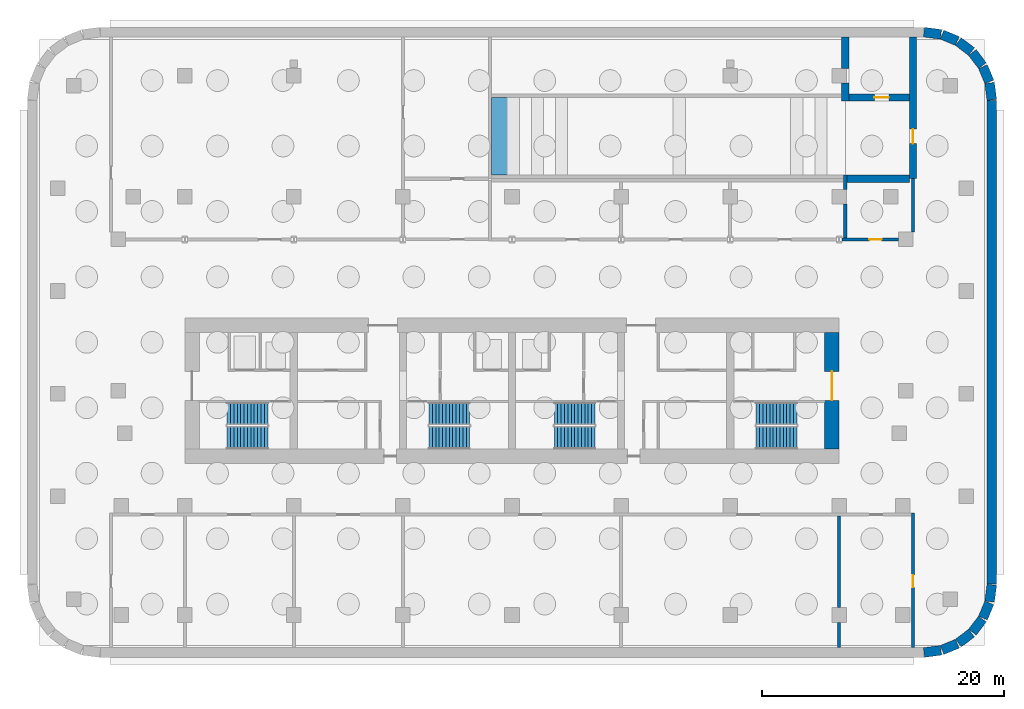
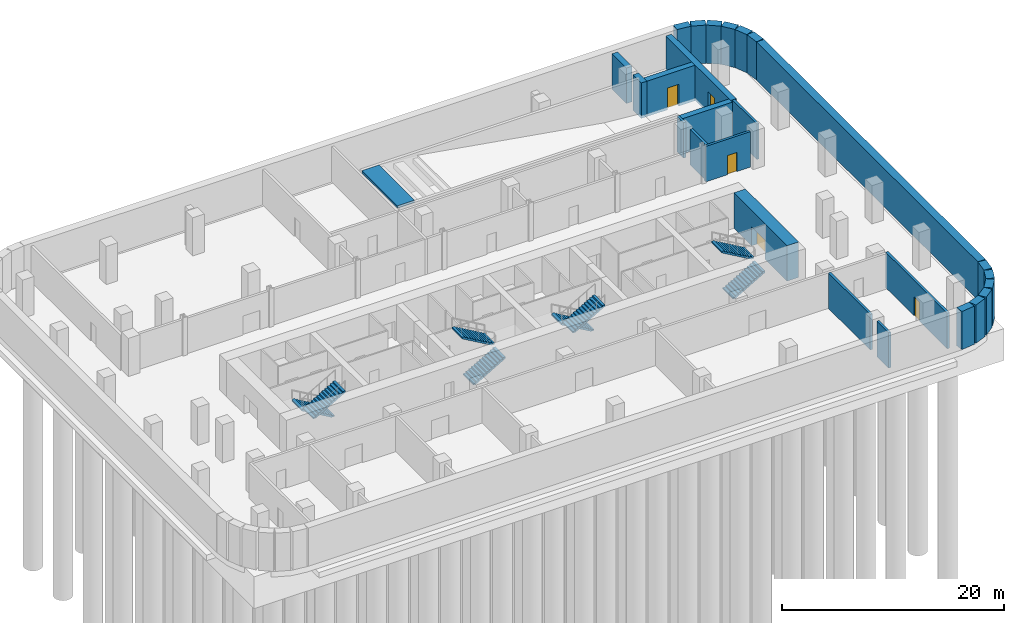
# One storey, part 6 of 8: 26 walls, 8 stair flights, 5 doors, 1 ramp flight, 5 openings, 5 elements without a shape of their own.
"""IFC4 building model written with IfcOpenShell, lengths in metres."""

from ifc_helpers import new_model, si_unit, direction, frame, frame_2d, origin, place, context, subcontext, project, spatial, polyline, rectangle, outline, extrude, material, layer, layer_set, type_object, element, fill, aggregate, save


model = new_model("IFC4")

# Units and contexts
model_context = context("Model", 3, precision=1e-05, world=origin(), true_north=direction((0.0, 1.0)))
body_context = subcontext(model_context, "Body", "Model", "MODEL_VIEW")
ifc_project = project(units=[si_unit("LENGTHUNIT", "METRE"), si_unit("AREAUNIT", "SQUARE_METRE"), si_unit("VOLUMEUNIT", "CUBIC_METRE"), si_unit("PLANEANGLEUNIT", "RADIAN"), si_unit("MASSUNIT", "GRAM", prefix="KILO")], contexts=[model_context])

# Site, building, storey
site_placement = place(None, origin())
site = spatial("IfcSite", under=ifc_project, at=site_placement, CompositionType="ELEMENT")
building_placement = place(site_placement, origin())
building = spatial("IfcBuilding", under=site, at=building_placement, Name="Zellij Exchange Tower", CompositionType="ELEMENT")
storey_placement = place(building_placement, frame((0.0, 0.0, -12.60009765625)))
storey = spatial("IfcBuildingStorey", under=building, at=storey_placement, Name="B3", CompositionType="ELEMENT", Elevation=-12.60009765625)

# Wall
ifc_material_1 = material(Name="Concrete C50/60", Category="concrete")
ifc_layer_1 = layer(ifc_material_1, 0.60009765625)
ifc_layer_set_1 = layer_set([ifc_layer_1], Name="Concrete C50/60")
wall_type_1 = type_object("IfcWallType", Name="BSM-Vault wall 600", PredefinedType="SOLIDWALL", material=ifc_layer_set_1)
wall_1_placement = place(storey_placement, frame((27.625, 9.5, 0.0), z_axis=(0.0, 0.0, 1.0), x_axis=(1.0, 0.0, 0.0)))
element("IfcWall", 1, at=wall_1_placement, inside=storey, type_object=wall_type_1, Name="Partition 13", PredefinedType="SOLIDWALL", context=body_context, shape_type="SweptSolid", body=[
    extrude(rectangle(XDim=5.175048828125, YDim=0.60009765625, at=frame_2d((2.58740234375, 0.0))), origin(), (0.0, 0.0, 1.0), 3.900146484375),
])

# Wall, opening, door
wall_2_placement = place(storey_placement, frame((27.800048828125, 16.199951171875, 0.0), z_axis=(0.0, 0.0, 1.0), x_axis=(1.0, 0.0, 0.0)))
wall_2 = element("IfcWall", 2, at=wall_2_placement, inside=storey, type_object=wall_type_1, Name="Partition 14", PredefinedType="SOLIDWALL", context=body_context, shape_type="SweptSolid", body=[
    extrude(rectangle(XDim=5.0, YDim=0.60009765625, at=frame_2d((2.5, 0.0))), origin(), (0.0, 0.0, 1.0), 3.900146484375),
])
opening_1_placement = place(wall_2_placement, frame((2.10009765625, 0.0, 0.0)))
opening_1 = element("IfcOpeningElement", 3, at=opening_1_placement, cuts=wall_2, Name="Opening BS3.14", PredefinedType="OPENING", context=body_context, shape_type="SweptSolid", body=[
    extrude(rectangle(XDim=1.199951171875, YDim=2.39990234375, at=frame_2d((0.60009765625, 1.199951171875))), frame((0.0, 0.31201171875, 0.0), z_axis=(0.0, -1.0, 0.0), x_axis=(1.0, 0.0, 0.0)), (0.0, 0.0, 1.0), 0.6240234375),
])
ifc_material_2 = material(Name="Painted steel door leaf", Category="steel")
door_type_1 = type_object("IfcDoorType", Name="BSM-Vault door 1200x2400", OperationType="SINGLE_SWING_LEFT", PredefinedType="DOOR", material=ifc_material_2)
door_1_placement = place(opening_1_placement, origin())
door_1 = element("IfcDoor", 4, at=door_1_placement, inside=storey, type_object=door_type_1, Name="bsm.B3.door.BS3.14", OperationType="SINGLE_SWING_RIGHT", OverallHeight=2.39990234375, OverallWidth=1.199951171875, PredefinedType="DOOR", context=body_context, shape_type="SweptSolid", body=[
    extrude(rectangle(XDim=1.199951171875, YDim=2.39990234375, at=frame_2d((0.60009765625, 1.199951171875))), frame((0.0, 0.02490234375, 0.0), z_axis=(0.0, -1.0, 0.0), x_axis=(1.0, 0.0, 0.0)), (0.0, 0.0, 1.0), 0.050048828125),
])
fill(opening_1, door_1)

# Walls
wall_3_placement = place(storey_placement, frame((27.5, 15.89990234375, 0.0), z_axis=(0.0, 0.0, 1.0), x_axis=(0.0, 1.0, 0.0)))
element("IfcWall", 5, at=wall_3_placement, inside=storey, type_object=wall_type_1, Name="Partition 37", PredefinedType="SOLIDWALL", context=body_context, shape_type="SweptSolid", body=[
    extrude(rectangle(XDim=1.5, YDim=0.60009765625, at=frame_2d((0.75, 0.0))), origin(), (0.0, 0.0, 1.0), 3.900146484375),
])
wall_4_placement = place(storey_placement, frame((27.5, 18.60009765625, 0.0), z_axis=(0.0, 0.0, 1.0), x_axis=(0.0, 1.0, 0.0)))
element("IfcWall", 6, at=wall_4_placement, inside=storey, type_object=wall_type_1, Name="Partition 38", PredefinedType="SOLIDWALL", context=body_context, shape_type="SweptSolid", body=[
    extrude(rectangle(XDim=2.599853515625, YDim=0.60009765625, at=frame_2d((1.2998046875, 0.0))), origin(), (0.0, 0.0, 1.0), 3.900146484375),
])

# Wall, opening, door
wall_5_placement = place(storey_placement, frame((33.10009765625, 9.5, 0.0), z_axis=(0.0, 0.0, 1.0), x_axis=(0.0, 1.0, 0.0)))
wall_5 = element("IfcWall", 7, at=wall_5_placement, inside=storey, type_object=wall_type_1, Name="Partition 41", PredefinedType="SOLIDWALL", context=body_context, shape_type="SweptSolid", body=[
    extrude(rectangle(XDim=11.699951171875, YDim=0.60009765625, at=frame_2d((5.85009765625, 0.0))), origin(), (0.0, 0.0, 1.0), 3.900146484375),
])
opening_2_placement = place(wall_5_placement, frame((2.89990234375, 0.0, 0.0)))
opening_2 = element("IfcOpeningElement", 8, at=opening_2_placement, cuts=wall_5, Name="Opening BS3.19", PredefinedType="OPENING", context=body_context, shape_type="SweptSolid", body=[
    extrude(rectangle(XDim=1.199951171875, YDim=2.39990234375, at=frame_2d((0.60009765625, 1.199951171875))), frame((0.0, 0.31201171875, 0.0), z_axis=(0.0, -1.0, 0.0), x_axis=(1.0, 0.0, 0.0)), (0.0, 0.0, 1.0), 0.6240234375),
])
door_2_placement = place(opening_2_placement, origin())
door_2 = element("IfcDoor", 9, at=door_2_placement, inside=storey, type_object=door_type_1, Name="bsm.B3.door.BS3.19", OperationType="SINGLE_SWING_RIGHT", OverallHeight=2.39990234375, OverallWidth=1.199951171875, PredefinedType="DOOR", context=body_context, shape_type="SweptSolid", body=[
    extrude(rectangle(XDim=1.199951171875, YDim=2.39990234375, at=frame_2d((0.60009765625, 1.199951171875))), frame((0.0, 0.02490234375, 0.0), z_axis=(0.0, -1.0, 0.0), x_axis=(1.0, 0.0, 0.0)), (0.0, 0.0, 1.0), 0.050048828125),
])
fill(opening_2, door_2)

ifc_material_3 = material(Name="Concrete C32/40", Category="concrete")
ifc_layer_2 = layer(ifc_material_3, 0.25)
ifc_layer_set_2 = layer_set([ifc_layer_2], Name="Concrete C32/40")
wall_type_2 = type_object("IfcWallType", Name="BSM-Wall 250", PredefinedType="SOLIDWALL", material=ifc_layer_set_2)
wall_6_placement = place(storey_placement, frame((27.227294921875, 4.5, 0.0), z_axis=(0.0, 0.0, 1.0), x_axis=(1.0, 0.0, 0.0)))
wall_6 = element("IfcWall", 10, at=wall_6_placement, inside=storey, type_object=wall_type_2, Name="Partition 10", PredefinedType="SOLIDWALL", context=body_context, shape_type="SweptSolid", body=[
    extrude(rectangle(XDim=4.672607421875, YDim=0.25, at=frame_2d((2.33642578125, 0.0))), origin(), (0.0, 0.0, 1.0), 3.900146484375),
])
opening_3_placement = place(wall_6_placement, frame((2.272705078125, 0.0, 0.0)))
opening_3 = element("IfcOpeningElement", 11, at=opening_3_placement, cuts=wall_6, Name="Opening BS3.12", PredefinedType="OPENING", context=body_context, shape_type="SweptSolid", body=[
    extrude(rectangle(XDim=1.0, YDim=2.10009765625, at=frame_2d((0.5, 1.050048828125))), frame((0.0, 0.136962890625, 0.0), z_axis=(0.0, -1.0, 0.0), x_axis=(1.0, 0.0, 0.0)), (0.0, 0.0, 1.0), 0.27392578125),
])
door_type_2 = type_object("IfcDoorType", Name="BSM-Door 1000x2100 FD90", OperationType="SINGLE_SWING_LEFT", PredefinedType="DOOR", material=ifc_material_2)
door_3_placement = place(opening_3_placement, origin())
door_3 = element("IfcDoor", 12, at=door_3_placement, inside=storey, type_object=door_type_2, Name="bsm.B3.door.BS3.12", OperationType="SINGLE_SWING_LEFT", OverallHeight=2.10009765625, OverallWidth=1.0, PredefinedType="DOOR", context=body_context, shape_type="SweptSolid", body=[
    extrude(rectangle(XDim=1.0, YDim=2.10009765625, at=frame_2d((0.5, 1.050048828125))), frame((0.0, 0.02490234375, 0.0), z_axis=(0.0, -1.0, 0.0), x_axis=(1.0, 0.0, 0.0)), (0.0, 0.0, 1.0), 0.050048828125),
])
fill(opening_3, door_3)

# Walls
wall_7_placement = place(storey_placement, frame((27.0, -29.199951171875, 0.0), z_axis=(0.0, 0.0, 1.0), x_axis=(0.0, 1.0, 0.0)))
element("IfcWall", 13, at=wall_7_placement, inside=storey, type_object=wall_type_2, Name="Partition 33", PredefinedType="SOLIDWALL", context=body_context, shape_type="SweptSolid", body=[
    extrude(rectangle(XDim=2.099853515625, YDim=0.25, at=frame_2d((1.0498046875, 0.0))), origin(), (0.0, 0.0, 1.0), 3.900146484375),
])
wall_8_placement = place(storey_placement, frame((27.0, -25.89990234375, 0.0), z_axis=(0.0, 0.0, 1.0), x_axis=(0.0, 1.0, 0.0)))
element("IfcWall", 14, at=wall_8_placement, inside=storey, type_object=wall_type_2, Name="Partition 34", PredefinedType="SOLIDWALL", context=body_context, shape_type="SweptSolid", body=[
    extrude(rectangle(XDim=7.5498046875, YDim=0.25, at=frame_2d((3.77490234375, 0.0))), origin(), (0.0, 0.0, 1.0), 3.900146484375),
])
wall_9_placement = place(storey_placement, frame((27.5, 4.625, 0.0), z_axis=(0.0, 0.0, 1.0), x_axis=(0.0, 1.0, 0.0)))
element("IfcWall", 15, at=wall_9_placement, inside=storey, type_object=wall_type_2, Name="Partition 35", PredefinedType="SOLIDWALL", context=body_context, shape_type="SweptSolid", body=[
    extrude(rectangle(XDim=2.77490234375, YDim=0.25, at=frame_2d((1.387451171875, 0.0))), origin(), (0.0, 0.0, 1.0), 3.900146484375),
])
wall_10_placement = place(storey_placement, frame((27.5, 8.60009765625, 0.0), z_axis=(0.0, 0.0, 1.0), x_axis=(0.0, 1.0, 0.0)))
element("IfcWall", 16, at=wall_10_placement, inside=storey, type_object=wall_type_2, Name="Partition 36", PredefinedType="SOLIDWALL", context=body_context, shape_type="SweptSolid", body=[
    extrude(rectangle(XDim=1.199951171875, YDim=0.25, at=frame_2d((0.60009765625, 0.0))), origin(), (0.0, 0.0, 1.0), 3.900146484375),
])

# Wall, opening, door
wall_11_placement = place(storey_placement, frame((33.10009765625, -29.199951171875, 0.0), z_axis=(0.0, 0.0, 1.0), x_axis=(0.0, 1.0, 0.0)))
wall_11 = element("IfcWall", 17, at=wall_11_placement, inside=storey, type_object=wall_type_2, Name="Partition 39", PredefinedType="SOLIDWALL", context=body_context, shape_type="SweptSolid", body=[
    extrude(rectangle(XDim=11.099853515625, YDim=0.25, at=frame_2d((5.5498046875, 0.0))), origin(), (0.0, 0.0, 1.0), 3.900146484375),
])
opening_4_placement = place(wall_11_placement, frame((4.987548828125, 0.0, 0.0)))
opening_4 = element("IfcOpeningElement", 18, at=opening_4_placement, cuts=wall_11, Name="Opening BS3.18", PredefinedType="OPENING", context=body_context, shape_type="SweptSolid", body=[
    extrude(rectangle(XDim=1.0, YDim=2.10009765625, at=frame_2d((0.5, 1.050048828125))), frame((0.0, 0.136962890625, 0.0), z_axis=(0.0, -1.0, 0.0), x_axis=(1.0, 0.0, 0.0)), (0.0, 0.0, 1.0), 0.27392578125),
])
door_4_placement = place(opening_4_placement, origin())
door_4 = element("IfcDoor", 19, at=door_4_placement, inside=storey, type_object=door_type_2, Name="bsm.B3.door.BS3.18", OperationType="SINGLE_SWING_LEFT", OverallHeight=2.10009765625, OverallWidth=1.0, PredefinedType="DOOR", context=body_context, shape_type="SweptSolid", body=[
    extrude(rectangle(XDim=1.0, YDim=2.10009765625, at=frame_2d((0.5, 1.050048828125))), frame((0.0, 0.02490234375, 0.0), z_axis=(0.0, -1.0, 0.0), x_axis=(1.0, 0.0, 0.0)), (0.0, 0.0, 1.0), 0.050048828125),
])
fill(opening_4, door_4)

# Wall
wall_12_placement = place(storey_placement, frame((33.10009765625, 5.10009765625, 0.0), z_axis=(0.0, 0.0, 1.0), x_axis=(0.0, 1.0, 0.0)))
element("IfcWall", 20, at=wall_12_placement, inside=storey, type_object=wall_type_2, Name="Partition 40", PredefinedType="SOLIDWALL", context=body_context, shape_type="SweptSolid", body=[
    extrude(rectangle(XDim=4.39990234375, YDim=0.25, at=frame_2d((2.199951171875, 0.0))), origin(), (0.0, 0.0, 1.0), 3.900146484375),
])

# Wall, opening, door
ifc_material_4 = material(Name="Concrete C70/85", Category="concrete")
ifc_layer_3 = layer(ifc_material_4, 1.199951171875)
ifc_layer_set_3 = layer_set([ifc_layer_3], Name="Concrete C70/85")
wall_type_3 = type_object("IfcWallType", Name="CORE-SW 1200 C70/85", PredefinedType="SHEAR", material=ifc_layer_set_3)
wall_13_placement = place(storey_placement, frame((26.39990234375, -12.800048828125, 0.0), z_axis=(0.0, 0.0, 1.0), x_axis=(0.0, 1.0, 0.0)))
wall_13 = element("IfcWall", 21, at=wall_13_placement, inside=storey, type_object=wall_type_3, Name="Core shear wall end e B3", PredefinedType="SHEAR", context=body_context, shape_type="SweptSolid", body=[
    extrude(rectangle(XDim=9.60009765625, YDim=1.199951171875, at=frame_2d((4.800048828125, 0.0))), origin(), (0.0, 0.0, 1.0), 3.900146484375),
])
opening_5_placement = place(wall_13_placement, frame((4.011962890625, 0.0, 0.0)))
opening_5 = element("IfcOpeningElement", 22, at=opening_5_placement, cuts=wall_13, Name="Opening CA-01.24", PredefinedType="OPENING", context=body_context, shape_type="SweptSolid", body=[
    extrude(rectangle(XDim=2.39990234375, YDim=2.10009765625, at=frame_2d((1.199951171875, 1.050048828125))), frame((0.0, 0.61181640625, 0.0), z_axis=(0.0, -1.0, 0.0), x_axis=(1.0, 0.0, 0.0)), (0.0, 0.0, 1.0), 1.223876953125),
])
ifc_material_5 = material(Name="Hollow metal fire door")
door_type_3 = type_object("IfcDoorType", Name="CORE-D CE Core entrance door 2400x2100 20 MIN", OperationType="NOTDEFINED", PredefinedType="DOOR", material=ifc_material_5)
door_5_placement = place(opening_5_placement, origin())
door_5 = element("IfcDoor", 23, at=door_5_placement, inside=storey, type_object=door_type_3, Name="Core entrance door CA-01.24", OperationType="DOUBLE_DOOR_SINGLE_SWING", OverallHeight=2.10009765625, OverallWidth=2.39990234375, PredefinedType="DOOR", context=body_context, shape_type="SweptSolid", body=[
    extrude(rectangle(XDim=2.39990234375, YDim=2.10009765625, at=frame_2d((1.199951171875, 1.050048828125))), frame((0.0, 0.02490234375, 0.0), z_axis=(0.0, -1.0, 0.0), x_axis=(1.0, 0.0, 0.0)), (0.0, 0.0, 1.0), 0.050048828125),
])
fill(opening_5, door_5)

# Walls
ifc_material_6 = material(Name="Concrete C40/50", Category="concrete")
ifc_layer_4 = layer(ifc_material_6, 0.800048828125)
ifc_layer_set_4 = layer_set([ifc_layer_4], Name="Concrete C40/50")
wall_type_4 = type_object("IfcWallType", Name="STR-RETAINING WALL 800 C40/50", PredefinedType="SOLIDWALL", material=ifc_layer_set_4)
wall_14_placement = place(storey_placement, frame((33.999755859375, 21.5966796875, 0.0), z_axis=(0.0, 0.0, 1.0), x_axis=(0.99144603414, -0.130517283865, 0.0)))
element("IfcWall", 24, at=wall_14_placement, inside=storey, type_object=wall_type_4, Name="Retaining wall B3", PredefinedType="SOLIDWALL", context=body_context, shape_type="SweptSolid", body=[
    extrude(rectangle(XDim=1.408447265625, YDim=0.800048828125, at=frame_2d((0.7041015625, 0.0))), origin(), (0.0, 0.0, 1.0), 4.2001953125),
])
for number, where, z_axis, x_axis, name in (
    (25, (35.497314453125, 21.3857421875, 0.0), (0.0, 0.0, 1.0), (0.923847774587, -0.38276009378, 0.0), "Retaining wall B3"),
    (26, (36.840087890625, 20.814697265625, 0.0), (0.0, 0.0, 1.0), (0.793359897258, -0.608752883708, 0.0), "Retaining wall B3"),
    (27, (37.989501953125, 19.91552734375, 0.0), (0.0, 0.0, 1.0), (0.608752883708, -0.793359897258, 0.0), "Retaining wall B3"),
    (28, (38.866943359375, 18.74951171875, 0.0), (0.0, 0.0, 1.0), (0.38276009378, -0.923847774587, 0.0), "Retaining wall B3"),
):
    element("IfcWall", number, at=place(storey_placement, frame(where, z_axis=z_axis, x_axis=x_axis)), inside=storey, type_object=wall_type_4, Name=name, PredefinedType="SOLIDWALL", context=body_context, shape_type="SweptSolid", body=[
        extrude(rectangle(XDim=1.35546875, YDim=0.800048828125, at=frame_2d((0.677734375, 0.0))), origin(), (0.0, 0.0, 1.0), 4.2001953125),
    ])
wall_15_placement = place(storey_placement, frame((39.412841796875, 17.396240234375, 0.0), z_axis=(0.0, 0.0, 1.0), x_axis=(0.130517283865, -0.99144603414, 0.0)))
element("IfcWall", 29, at=wall_15_placement, inside=storey, type_object=wall_type_4, Name="Retaining wall B3", PredefinedType="SOLIDWALL", context=body_context, shape_type="SweptSolid", body=[
    extrude(rectangle(XDim=1.408447265625, YDim=0.800048828125, at=frame_2d((0.7041015625, 0.0))), origin(), (0.0, 0.0, 1.0), 4.2001953125),
])
wall_16_placement = place(storey_placement, frame((39.60009765625, 15.947509765625, 0.0), z_axis=(0.0, 0.0, 1.0), x_axis=(0.0, -1.0, 0.0)))
element("IfcWall", 30, at=wall_16_placement, inside=storey, type_object=wall_type_4, Name="Retaining wall B3", PredefinedType="SOLIDWALL", context=body_context, shape_type="SweptSolid", body=[
    extrude(rectangle(XDim=39.89501953125, YDim=0.800048828125, at=frame_2d((19.947509765625, 0.0))), origin(), (0.0, 0.0, 1.0), 4.2001953125),
])
wall_17_placement = place(storey_placement, frame((39.5966796875, -23.999755859375, 0.0), z_axis=(0.0, 0.0, 1.0), x_axis=(-0.130517283865, -0.99144603414, 0.0)))
element("IfcWall", 31, at=wall_17_placement, inside=storey, type_object=wall_type_4, Name="Retaining wall B3", PredefinedType="SOLIDWALL", context=body_context, shape_type="SweptSolid", body=[
    extrude(rectangle(XDim=1.408447265625, YDim=0.800048828125, at=frame_2d((0.7041015625, 0.0))), origin(), (0.0, 0.0, 1.0), 4.2001953125),
])
for number, where, z_axis, x_axis, name in (
    (32, (39.3857421875, -25.497314453125, 0.0), (0.0, 0.0, 1.0), (-0.38276009378, -0.923847774587, 0.0), "Retaining wall B3"),
    (33, (38.814697265625, -26.840087890625, 0.0), (0.0, 0.0, 1.0), (-0.608752883708, -0.793359897258, 0.0), "Retaining wall B3"),
    (34, (37.91552734375, -27.989501953125, 0.0), (0.0, 0.0, 1.0), (-0.793359897258, -0.608752883708, 0.0), "Retaining wall B3"),
    (35, (36.74951171875, -28.866943359375, 0.0), (0.0, 0.0, 1.0), (-0.923847774587, -0.38276009378, 0.0), "Retaining wall B3"),
):
    element("IfcWall", number, at=place(storey_placement, frame(where, z_axis=z_axis, x_axis=x_axis)), inside=storey, type_object=wall_type_4, Name=name, PredefinedType="SOLIDWALL", context=body_context, shape_type="SweptSolid", body=[
        extrude(rectangle(XDim=1.35546875, YDim=0.800048828125, at=frame_2d((0.677734375, 0.0))), origin(), (0.0, 0.0, 1.0), 4.2001953125),
    ])
wall_18_placement = place(storey_placement, frame((35.396240234375, -29.412841796875, 0.0), z_axis=(0.0, 0.0, 1.0), x_axis=(-0.99144603414, -0.130517283865, 0.0)))
element("IfcWall", 36, at=wall_18_placement, inside=storey, type_object=wall_type_4, Name="Retaining wall B3", PredefinedType="SOLIDWALL", context=body_context, shape_type="SweptSolid", body=[
    extrude(rectangle(XDim=1.408447265625, YDim=0.800048828125, at=frame_2d((0.7041015625, 0.0))), origin(), (0.0, 0.0, 1.0), 4.2001953125),
])

# Stair, stair flights
stair_type = type_object("IfcStairType", Name="CORE-ST exit stair 1850 wide", PredefinedType="HALF_TURN_STAIR", material=ifc_material_6)
stair_1_placement = place(storey_placement, origin())
stair_1 = element("IfcStair", 37, at=stair_1_placement, inside=storey, type_object=stair_type, Name="B3 exit stair ST1", PredefinedType="HALF_TURN_STAIR")
stair_flight_type = type_object("IfcStairFlightType", Name="CORE-SF flight 1850 riser 161.5 going 280", PredefinedType="STRAIGHT", material=ifc_material_6)
stair_flight_1_placement = place(storey_placement, frame((-20.14990234375, -9.875, 0.0), z_axis=(0.0, 0.0, 1.0), x_axis=(-1.0, 0.0, 0.0)))
stair_flight_1 = element("IfcStairFlight", 38, at=stair_flight_1_placement, type_object=stair_flight_type, Name="ST1 flight 1", NumberOfRisers=13, NumberOfTreads=12, PredefinedType="STRAIGHT", RiserHeight=0.161538462, TreadLength=0.28, context=body_context, shape_type="SweptSolid", body=[
    extrude(outline(polyline([(0.0, 0.0), (0.0, 0.16162109375), (0.280029296875, 0.16162109375), (0.280029296875, 0.322998046875), (0.56005859375, 0.322998046875), (0.56005859375, 0.484619140625), (0.840087890625, 0.484619140625), (0.840087890625, 0.646240234375), (1.1201171875, 0.646240234375), (1.1201171875, 0.8076171875), (1.39990234375, 0.8076171875), (1.39990234375, 0.96923828125), (1.679931640625, 0.96923828125), (1.679931640625, 1.130859375), (1.9599609375, 1.130859375), (1.9599609375, 1.292236328125), (2.239990234375, 1.292236328125), (2.239990234375, 1.453857421875), (2.52001953125, 1.453857421875), (2.52001953125, 1.615478515625), (2.800048828125, 1.615478515625), (2.800048828125, 1.77685546875), (3.080078125, 1.77685546875), (3.080078125, 1.9384765625), (3.360107421875, 1.9384765625), (3.360107421875, 2.10009765625), (3.360107421875, 1.765380859375), (0.300048828125, 0.0), (0.0, 0.0)])), frame((0.0, 0.925048828125, 0.0), z_axis=(0.0, -1.0, 0.0), x_axis=(1.0, 0.0, 0.0)), (0.0, 0.0, 1.0), 1.85009765625),
])
stair_flight_2_placement = place(storey_placement, frame((-23.510009765625, -11.875, 2.10009765625), z_axis=(0.0, 0.0, 1.0), x_axis=(1.0, 0.0, 0.0)))
stair_flight_2 = element("IfcStairFlight", 39, at=stair_flight_2_placement, type_object=stair_flight_type, Name="ST1 flight 2", NumberOfRisers=13, NumberOfTreads=12, PredefinedType="STRAIGHT", RiserHeight=0.161538462, TreadLength=0.28, context=body_context, shape_type="SweptSolid", body=[
    extrude(outline(polyline([(0.0, 0.0), (0.0, 0.16162109375), (0.280029296875, 0.16162109375), (0.280029296875, 0.322998046875), (0.56005859375, 0.322998046875), (0.56005859375, 0.484619140625), (0.840087890625, 0.484619140625), (0.840087890625, 0.646240234375), (1.1201171875, 0.646240234375), (1.1201171875, 0.8076171875), (1.39990234375, 0.8076171875), (1.39990234375, 0.96923828125), (1.679931640625, 0.96923828125), (1.679931640625, 1.130859375), (1.9599609375, 1.130859375), (1.9599609375, 1.292236328125), (2.239990234375, 1.292236328125), (2.239990234375, 1.453857421875), (2.52001953125, 1.453857421875), (2.52001953125, 1.615478515625), (2.800048828125, 1.615478515625), (2.800048828125, 1.77685546875), (3.080078125, 1.77685546875), (3.080078125, 1.9384765625), (3.360107421875, 1.9384765625), (3.360107421875, 2.10009765625), (3.360107421875, 1.765380859375), (0.300048828125, 0.0), (0.0, 0.0)])), frame((0.0, 0.925048828125, 0.0), z_axis=(0.0, -1.0, 0.0), x_axis=(1.0, 0.0, 0.0)), (0.0, 0.0, 1.0), 1.85009765625),
])
aggregate(stair_1, [stair_flight_1, stair_flight_2])

stair_2_placement = place(storey_placement, origin())
stair_2 = element("IfcStair", 40, at=stair_2_placement, inside=storey, type_object=stair_type, Name="B3 exit stair ST2", PredefinedType="HALF_TURN_STAIR")
stair_flight_3_placement = place(storey_placement, frame((-6.85009765625, -11.875, 0.0), z_axis=(0.0, 0.0, 1.0), x_axis=(1.0, 0.0, 0.0)))
stair_flight_3 = element("IfcStairFlight", 41, at=stair_flight_3_placement, type_object=stair_flight_type, Name="ST2 flight 1", NumberOfRisers=13, NumberOfTreads=12, PredefinedType="STRAIGHT", RiserHeight=0.161538462, TreadLength=0.28, context=body_context, shape_type="SweptSolid", body=[
    extrude(outline(polyline([(0.0, 0.0), (0.0, 0.16162109375), (0.280029296875, 0.16162109375), (0.280029296875, 0.322998046875), (0.56005859375, 0.322998046875), (0.56005859375, 0.484619140625), (0.840087890625, 0.484619140625), (0.840087890625, 0.646240234375), (1.1201171875, 0.646240234375), (1.1201171875, 0.8076171875), (1.39990234375, 0.8076171875), (1.39990234375, 0.96923828125), (1.679931640625, 0.96923828125), (1.679931640625, 1.130859375), (1.9599609375, 1.130859375), (1.9599609375, 1.292236328125), (2.239990234375, 1.292236328125), (2.239990234375, 1.453857421875), (2.52001953125, 1.453857421875), (2.52001953125, 1.615478515625), (2.800048828125, 1.615478515625), (2.800048828125, 1.77685546875), (3.080078125, 1.77685546875), (3.080078125, 1.9384765625), (3.360107421875, 1.9384765625), (3.360107421875, 2.10009765625), (3.360107421875, 1.765380859375), (0.300048828125, 0.0), (0.0, 0.0)])), frame((0.0, 0.925048828125, 0.0), z_axis=(0.0, -1.0, 0.0), x_axis=(1.0, 0.0, 0.0)), (0.0, 0.0, 1.0), 1.85009765625),
])
stair_flight_4_placement = place(storey_placement, frame((-3.489990234375, -9.875, 2.10009765625), z_axis=(0.0, 0.0, 1.0), x_axis=(-1.0, 0.0, 0.0)))
stair_flight_4 = element("IfcStairFlight", 42, at=stair_flight_4_placement, type_object=stair_flight_type, Name="ST2 flight 2", NumberOfRisers=13, NumberOfTreads=12, PredefinedType="STRAIGHT", RiserHeight=0.161538462, TreadLength=0.28, context=body_context, shape_type="SweptSolid", body=[
    extrude(outline(polyline([(0.0, 0.0), (0.0, 0.16162109375), (0.280029296875, 0.16162109375), (0.280029296875, 0.322998046875), (0.56005859375, 0.322998046875), (0.56005859375, 0.484619140625), (0.840087890625, 0.484619140625), (0.840087890625, 0.646240234375), (1.1201171875, 0.646240234375), (1.1201171875, 0.8076171875), (1.39990234375, 0.8076171875), (1.39990234375, 0.96923828125), (1.679931640625, 0.96923828125), (1.679931640625, 1.130859375), (1.9599609375, 1.130859375), (1.9599609375, 1.292236328125), (2.239990234375, 1.292236328125), (2.239990234375, 1.453857421875), (2.52001953125, 1.453857421875), (2.52001953125, 1.615478515625), (2.800048828125, 1.615478515625), (2.800048828125, 1.77685546875), (3.080078125, 1.77685546875), (3.080078125, 1.9384765625), (3.360107421875, 1.9384765625), (3.360107421875, 2.10009765625), (3.360107421875, 1.765380859375), (0.300048828125, 0.0), (0.0, 0.0)])), frame((0.0, 0.925048828125, 0.0), z_axis=(0.0, -1.0, 0.0), x_axis=(1.0, 0.0, 0.0)), (0.0, 0.0, 1.0), 1.85009765625),
])
aggregate(stair_2, [stair_flight_3, stair_flight_4])

stair_3_placement = place(storey_placement, origin())
stair_3 = element("IfcStair", 43, at=stair_3_placement, inside=storey, type_object=stair_type, Name="B3 exit stair ST3", PredefinedType="HALF_TURN_STAIR")
stair_flight_5_placement = place(storey_placement, frame((6.85009765625, -9.875, 0.0), z_axis=(0.0, 0.0, 1.0), x_axis=(-1.0, 0.0, 0.0)))
stair_flight_5 = element("IfcStairFlight", 44, at=stair_flight_5_placement, type_object=stair_flight_type, Name="ST3 flight 1", NumberOfRisers=13, NumberOfTreads=12, PredefinedType="STRAIGHT", RiserHeight=0.161538462, TreadLength=0.28, context=body_context, shape_type="SweptSolid", body=[
    extrude(outline(polyline([(0.0, 0.0), (0.0, 0.16162109375), (0.280029296875, 0.16162109375), (0.280029296875, 0.322998046875), (0.56005859375, 0.322998046875), (0.56005859375, 0.484619140625), (0.840087890625, 0.484619140625), (0.840087890625, 0.646240234375), (1.1201171875, 0.646240234375), (1.1201171875, 0.8076171875), (1.39990234375, 0.8076171875), (1.39990234375, 0.96923828125), (1.679931640625, 0.96923828125), (1.679931640625, 1.130859375), (1.9599609375, 1.130859375), (1.9599609375, 1.292236328125), (2.239990234375, 1.292236328125), (2.239990234375, 1.453857421875), (2.52001953125, 1.453857421875), (2.52001953125, 1.615478515625), (2.800048828125, 1.615478515625), (2.800048828125, 1.77685546875), (3.080078125, 1.77685546875), (3.080078125, 1.9384765625), (3.360107421875, 1.9384765625), (3.360107421875, 2.10009765625), (3.360107421875, 1.765380859375), (0.300048828125, 0.0), (0.0, 0.0)])), frame((0.0, 0.925048828125, 0.0), z_axis=(0.0, -1.0, 0.0), x_axis=(1.0, 0.0, 0.0)), (0.0, 0.0, 1.0), 1.85009765625),
])
stair_flight_6_placement = place(storey_placement, frame((3.489990234375, -11.875, 2.10009765625), z_axis=(0.0, 0.0, 1.0), x_axis=(1.0, 0.0, 0.0)))
stair_flight_6 = element("IfcStairFlight", 45, at=stair_flight_6_placement, type_object=stair_flight_type, Name="ST3 flight 2", NumberOfRisers=13, NumberOfTreads=12, PredefinedType="STRAIGHT", RiserHeight=0.161538462, TreadLength=0.28, context=body_context, shape_type="SweptSolid", body=[
    extrude(outline(polyline([(0.0, 0.0), (0.0, 0.16162109375), (0.280029296875, 0.16162109375), (0.280029296875, 0.322998046875), (0.56005859375, 0.322998046875), (0.56005859375, 0.484619140625), (0.840087890625, 0.484619140625), (0.840087890625, 0.646240234375), (1.1201171875, 0.646240234375), (1.1201171875, 0.8076171875), (1.39990234375, 0.8076171875), (1.39990234375, 0.96923828125), (1.679931640625, 0.96923828125), (1.679931640625, 1.130859375), (1.9599609375, 1.130859375), (1.9599609375, 1.292236328125), (2.239990234375, 1.292236328125), (2.239990234375, 1.453857421875), (2.52001953125, 1.453857421875), (2.52001953125, 1.615478515625), (2.800048828125, 1.615478515625), (2.800048828125, 1.77685546875), (3.080078125, 1.77685546875), (3.080078125, 1.9384765625), (3.360107421875, 1.9384765625), (3.360107421875, 2.10009765625), (3.360107421875, 1.765380859375), (0.300048828125, 0.0), (0.0, 0.0)])), frame((0.0, 0.925048828125, 0.0), z_axis=(0.0, -1.0, 0.0), x_axis=(1.0, 0.0, 0.0)), (0.0, 0.0, 1.0), 1.85009765625),
])
aggregate(stair_3, [stair_flight_5, stair_flight_6])

stair_4_placement = place(storey_placement, origin())
stair_4 = element("IfcStair", 46, at=stair_4_placement, inside=storey, type_object=stair_type, Name="B3 exit stair ST4", PredefinedType="HALF_TURN_STAIR")
stair_flight_7_placement = place(storey_placement, frame((20.14990234375, -11.875, 0.0), z_axis=(0.0, 0.0, 1.0), x_axis=(1.0, 0.0, 0.0)))
stair_flight_7 = element("IfcStairFlight", 47, at=stair_flight_7_placement, type_object=stair_flight_type, Name="ST4 flight 1", NumberOfRisers=13, NumberOfTreads=12, PredefinedType="STRAIGHT", RiserHeight=0.161538462, TreadLength=0.28, context=body_context, shape_type="SweptSolid", body=[
    extrude(outline(polyline([(0.0, 0.0), (0.0, 0.16162109375), (0.280029296875, 0.16162109375), (0.280029296875, 0.322998046875), (0.56005859375, 0.322998046875), (0.56005859375, 0.484619140625), (0.840087890625, 0.484619140625), (0.840087890625, 0.646240234375), (1.1201171875, 0.646240234375), (1.1201171875, 0.8076171875), (1.39990234375, 0.8076171875), (1.39990234375, 0.96923828125), (1.679931640625, 0.96923828125), (1.679931640625, 1.130859375), (1.9599609375, 1.130859375), (1.9599609375, 1.292236328125), (2.239990234375, 1.292236328125), (2.239990234375, 1.453857421875), (2.52001953125, 1.453857421875), (2.52001953125, 1.615478515625), (2.800048828125, 1.615478515625), (2.800048828125, 1.77685546875), (3.080078125, 1.77685546875), (3.080078125, 1.9384765625), (3.360107421875, 1.9384765625), (3.360107421875, 2.10009765625), (3.360107421875, 1.765380859375), (0.300048828125, 0.0), (0.0, 0.0)])), frame((0.0, 0.925048828125, 0.0), z_axis=(0.0, -1.0, 0.0), x_axis=(1.0, 0.0, 0.0)), (0.0, 0.0, 1.0), 1.85009765625),
])
stair_flight_8_placement = place(storey_placement, frame((23.510009765625, -9.875, 2.10009765625), z_axis=(0.0, 0.0, 1.0), x_axis=(-1.0, 0.0, 0.0)))
stair_flight_8 = element("IfcStairFlight", 48, at=stair_flight_8_placement, type_object=stair_flight_type, Name="ST4 flight 2", NumberOfRisers=13, NumberOfTreads=12, PredefinedType="STRAIGHT", RiserHeight=0.161538462, TreadLength=0.28, context=body_context, shape_type="SweptSolid", body=[
    extrude(outline(polyline([(0.0, 0.0), (0.0, 0.16162109375), (0.280029296875, 0.16162109375), (0.280029296875, 0.322998046875), (0.56005859375, 0.322998046875), (0.56005859375, 0.484619140625), (0.840087890625, 0.484619140625), (0.840087890625, 0.646240234375), (1.1201171875, 0.646240234375), (1.1201171875, 0.8076171875), (1.39990234375, 0.8076171875), (1.39990234375, 0.96923828125), (1.679931640625, 0.96923828125), (1.679931640625, 1.130859375), (1.9599609375, 1.130859375), (1.9599609375, 1.292236328125), (2.239990234375, 1.292236328125), (2.239990234375, 1.453857421875), (2.52001953125, 1.453857421875), (2.52001953125, 1.615478515625), (2.800048828125, 1.615478515625), (2.800048828125, 1.77685546875), (3.080078125, 1.77685546875), (3.080078125, 1.9384765625), (3.360107421875, 1.9384765625), (3.360107421875, 2.10009765625), (3.360107421875, 1.765380859375), (0.300048828125, 0.0), (0.0, 0.0)])), frame((0.0, 0.925048828125, 0.0), z_axis=(0.0, -1.0, 0.0), x_axis=(1.0, 0.0, 0.0)), (0.0, 0.0, 1.0), 1.85009765625),
])
aggregate(stair_4, [stair_flight_7, stair_flight_8])

# Ramp, ramp flight
ramp_type = type_object("IfcRampType", Name="BSM-Car ramp 6400", PredefinedType="STRAIGHT_RUN_RAMP", material=ifc_material_6)
ramp_placement = place(storey_placement, origin())
ramp = element("IfcRamp", 49, at=ramp_placement, inside=storey, type_object=ramp_type, Name="Car park ramp R3", PredefinedType="STRAIGHT_RUN_RAMP")
ifc_layer_5 = layer(ifc_material_6, 0.25)
ifc_layer_set_5 = layer_set([ifc_layer_5], Name="Concrete C40/50")
ramp_flight_type = type_object("IfcRampFlightType", Name="BSM-Ramp landing flight 250 C40/50", PredefinedType="STRAIGHT", material=ifc_layer_set_5)
ramp_flight_placement = place(storey_placement, frame((-1.699951171875, 9.800048828125, 4.2001953125), z_axis=(0.0, 0.0, 1.0), x_axis=(1.0, 0.0, 0.0)))
ramp_flight = element("IfcRampFlight", 50, at=ramp_flight_placement, type_object=ramp_flight_type, Name="Car park ramp R3 landing", PredefinedType="STRAIGHT", context=body_context, shape_type="SweptSolid", body=[
    extrude(outline(polyline([(0.0, 0.0), (1.800048828125, 0.0), (1.800048828125, 6.39990234375), (0.0, 6.39990234375), (0.0, 0.0)])), origin(), (0.0, 0.0, -1.0), 0.25),
])
aggregate(ramp, [ramp_flight])

save(model, "model.ifc")
